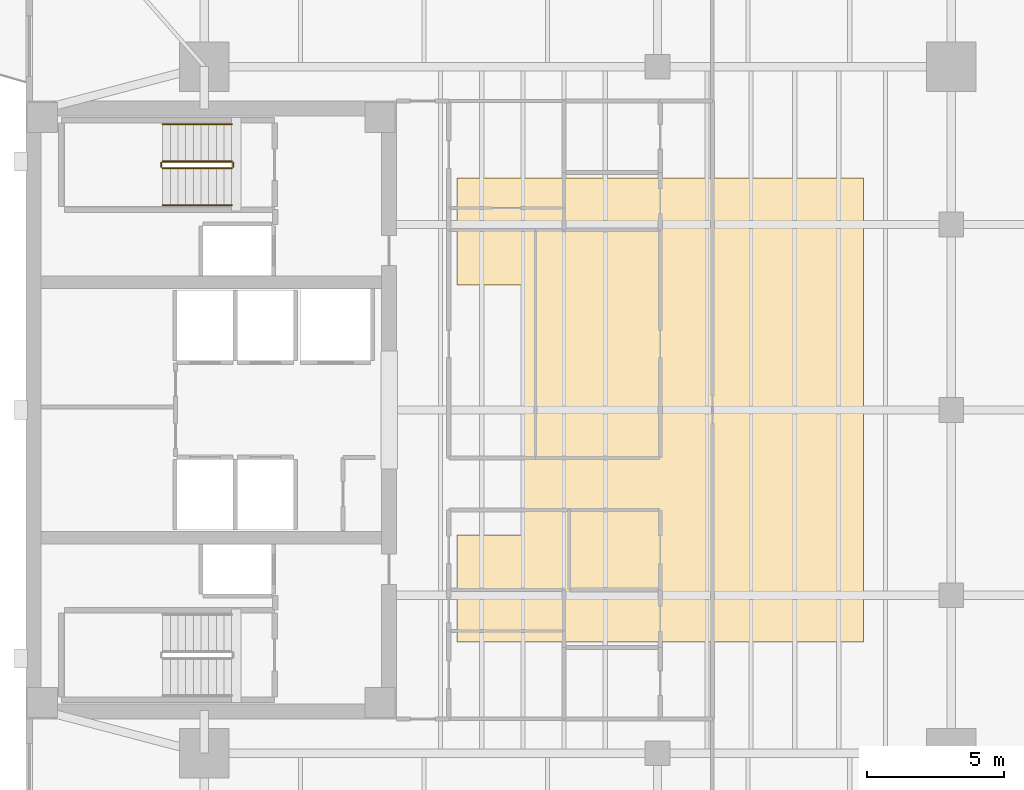
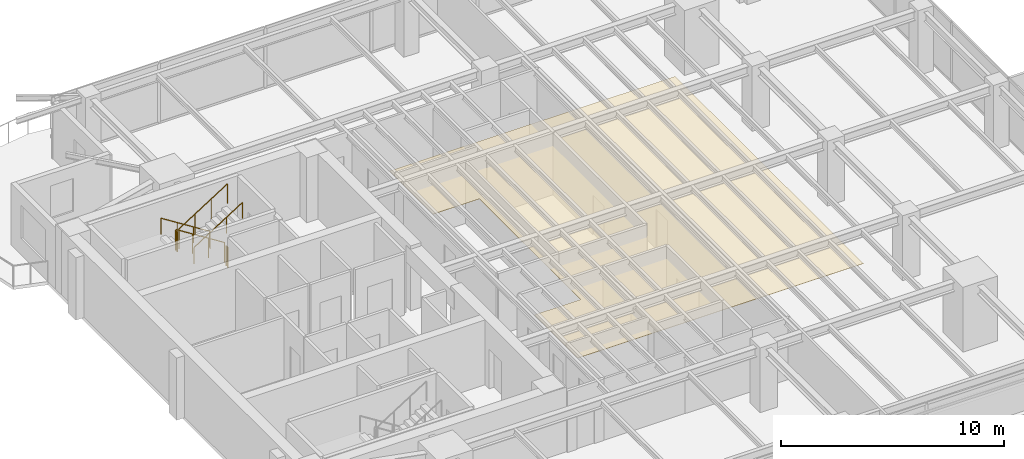
# One storey, part 13 of 14: 6 railings, 1 covering.
"""IFC4 building model written with IfcOpenShell, lengths in metres."""

from ifc_helpers import new_model, si_unit, direction, frame, origin, origin_2d, place, context, subcontext, project, spatial, polyline, circle, outline, extrude, material, layer, layer_set, type_object, element, save


model = new_model("IFC4")

# Units and contexts
model_context = context("Model", 3, precision=1e-05, world=origin(), true_north=direction((0.0, 1.0)))
body_context = subcontext(model_context, "Body", "Model", "MODEL_VIEW")
ifc_project = project(units=[si_unit("LENGTHUNIT", "METRE"), si_unit("AREAUNIT", "SQUARE_METRE"), si_unit("VOLUMEUNIT", "CUBIC_METRE"), si_unit("PLANEANGLEUNIT", "RADIAN"), si_unit("MASSUNIT", "GRAM", prefix="KILO")], contexts=[model_context])

# Site, building, storey
site_placement = place(None, origin())
site = spatial("IfcSite", under=ifc_project, at=site_placement, CompositionType="ELEMENT")
building_placement = place(site_placement, origin())
building = spatial("IfcBuilding", under=site, at=building_placement, Name="Kinhvarn Gate Tower", CompositionType="ELEMENT")
storey_placement = place(building_placement, frame((0.0, 0.0, 191.60009765625)))
storey = spatial("IfcBuildingStorey", under=building, at=storey_placement, Name="L50", CompositionType="ELEMENT", Elevation=191.60009765625)

# Covering
ifc_material_1 = material(Name="Mineral-fibre acoustic ceiling tile")
ifc_layer = layer(ifc_material_1, 0.02001953125)
ifc_layer_set = layer_set([ifc_layer], Name="Mineral-fibre acoustic ceiling tile")
covering_type = type_object("IfcCoveringType", Name="COV-CEIL-20", PredefinedType="CEILING", material=ifc_layer_set)
covering_placement = place(storey_placement, frame((0.0, 0.0, 2.64990234375)))
element("IfcCovering", 1, at=covering_placement, inside=storey, type_object=covering_type, Name="Suspended Acoustic Ceiling Tile (L50-1)", PredefinedType="CEILING", context=body_context, shape_type="SweptSolid", body=[
    extrude(outline(polyline([(35.0, 33.699951171875), (35.0, 16.800048828125), (20.199951171875, 16.800048828125), (20.199951171875, 20.699951171875), (22.60009765625, 20.699951171875), (22.60009765625, 29.800048828125), (20.199951171875, 29.800048828125), (20.199951171875, 33.699951171875), (35.0, 33.699951171875)])), origin(), (0.0, 0.0, 1.0), 0.02001953125),
])

# Railings
ifc_material_2 = material(Name="Steel S355", Category="steel")
railing_type_1 = type_object("IfcRailingType", Name="RL-ST-GRD", PredefinedType="BALUSTRADE", material=ifc_material_2)
railing_1_placement = place(storey_placement, frame((12.0, 34.300048828125, 0.177490234375)))
element("IfcRailing", 2, at=railing_1_placement, inside=storey, type_object=railing_type_1, Name="L50 ST2 stair guard 1", PredefinedType="BALUSTRADE", context=body_context, shape_type="SweptSolid", body=[
    extrude(circle(Radius=0.02392578125, at=origin_2d()), frame((0.0, 0.0, 1.076171875), z_axis=(-0.84460694969, 0.0, 0.535386869969), x_axis=(0.0, -1.0, 0.0)), (0.0, 0.0, 1.0), 2.983642578125),
    extrude(circle(Radius=0.02099609375, at=origin_2d()), origin(), (0.0, 0.0, 1.0), 1.052001953125),
    extrude(circle(Radius=0.02099609375, at=origin_2d()), frame((-0.840087890625, 0.0, 0.532470703125)), (0.0, 0.0, 1.0), 1.052001953125),
    extrude(circle(Radius=0.02099609375, at=origin_2d()), frame((-1.679931640625, 0.0, 1.06494140625)), (0.0, 0.0, 1.0), 1.052001953125),
    extrude(circle(Radius=0.02099609375, at=origin_2d()), frame((-2.52001953125, 0.0, 1.597412109375)), (0.0, 0.0, 1.0), 1.052001953125),
])
railing_2_placement = place(storey_placement, frame((9.429931640625, 34.25, 1.77490234375)))
element("IfcRailing", 3, at=railing_2_placement, inside=storey, type_object=railing_type_1, Name="L50 ST2 stair guard 2", PredefinedType="BALUSTRADE", context=body_context, shape_type="SweptSolid", body=[
    extrude(circle(Radius=0.02392578125, at=origin_2d()), frame((0.0, 0.0, 1.076171875), z_axis=(0.0, -1.0, 0.0), x_axis=(1.0, 0.0, 0.0)), (0.0, 0.0, 1.0), 0.14990234375),
    extrude(circle(Radius=0.02099609375, at=origin_2d()), origin(), (0.0, 0.0, 1.0), 1.052001953125),
    extrude(circle(Radius=0.02099609375, at=origin_2d()), frame((0.0, -0.14990234375, 0.0)), (0.0, 0.0, 1.0), 1.052001953125),
])
railing_3_placement = place(storey_placement, frame((9.47998046875, 34.050048828125, 1.952392578125)))
element("IfcRailing", 4, at=railing_3_placement, inside=storey, type_object=railing_type_1, Name="L50 ST2 stair guard 3", PredefinedType="BALUSTRADE", context=body_context, shape_type="SweptSolid", body=[
    extrude(circle(Radius=0.02392578125, at=origin_2d()), frame((0.0, 0.0, 1.076171875), z_axis=(0.84460694969, 0.0, 0.535386869969), x_axis=(0.0, 1.0, 0.0)), (0.0, 0.0, 1.0), 2.983642578125),
    extrude(circle(Radius=0.02099609375, at=origin_2d()), origin(), (0.0, 0.0, 1.0), 1.052001953125),
    extrude(circle(Radius=0.02099609375, at=origin_2d()), frame((0.840087890625, 0.0, 0.532470703125)), (0.0, 0.0, 1.0), 1.052001953125),
    extrude(circle(Radius=0.02099609375, at=origin_2d()), frame((1.679931640625, 0.0, 1.06494140625)), (0.0, 0.0, 1.0), 1.052001953125),
    extrude(circle(Radius=0.02099609375, at=origin_2d()), frame((2.52001953125, 0.0, 1.597412109375)), (0.0, 0.0, 1.0), 1.052001953125),
])
railing_4_placement = place(storey_placement, frame((12.050048828125, 34.25, 0.0)))
element("IfcRailing", 5, at=railing_4_placement, inside=storey, type_object=railing_type_1, Name="L50 ST2 stair guard 4", PredefinedType="BALUSTRADE", context=body_context, shape_type="SweptSolid", body=[
    extrude(circle(Radius=0.02392578125, at=origin_2d()), frame((0.0, 0.0, 1.076171875), z_axis=(0.0, -1.0, 0.0), x_axis=(1.0, 0.0, 0.0)), (0.0, 0.0, 1.0), 0.14990234375),
    extrude(circle(Radius=0.02099609375, at=origin_2d()), origin(), (0.0, 0.0, 1.0), 1.052001953125),
    extrude(circle(Radius=0.02099609375, at=origin_2d()), frame((0.0, -0.14990234375, 0.0)), (0.0, 0.0, 1.0), 1.052001953125),
])
railing_type_2 = type_object("IfcRailingType", Name="RL-ST-HND", PredefinedType="HANDRAIL", material=ifc_material_2)
railing_5_placement = place(storey_placement, frame((12.0, 35.64990234375, 0.177490234375)))
element("IfcRailing", 6, at=railing_5_placement, inside=storey, type_object=railing_type_2, Name="L50 ST2 stair handrail 1", PredefinedType="HANDRAIL", context=body_context, shape_type="SweptSolid", body=[
    extrude(circle(Radius=0.02392578125, at=origin_2d()), frame((0.0, 0.0, 0.8759765625), z_axis=(-0.84460694969, 0.0, 0.535386869969), x_axis=(0.0, -1.0, 0.0)), (0.0, 0.0, 1.0), 2.983642578125),
    extrude(circle(Radius=0.02099609375, at=origin_2d()), origin(), (0.0, 0.0, 1.0), 0.851806640625),
    extrude(circle(Radius=0.02099609375, at=origin_2d()), frame((-0.840087890625, 0.0, 0.532470703125)), (0.0, 0.0, 1.0), 0.851806640625),
    extrude(circle(Radius=0.02099609375, at=origin_2d()), frame((-1.679931640625, 0.0, 1.06494140625)), (0.0, 0.0, 1.0), 0.851806640625),
    extrude(circle(Radius=0.02099609375, at=origin_2d()), frame((-2.52001953125, 0.0, 1.597412109375)), (0.0, 0.0, 1.0), 0.851806640625),
])
railing_6_placement = place(storey_placement, frame((9.47998046875, 32.699951171875, 1.952392578125)))
element("IfcRailing", 7, at=railing_6_placement, inside=storey, type_object=railing_type_2, Name="L50 ST2 stair handrail 2", PredefinedType="HANDRAIL", context=body_context, shape_type="SweptSolid", body=[
    extrude(circle(Radius=0.02392578125, at=origin_2d()), frame((0.0, 0.0, 0.8759765625), z_axis=(0.84460694969, 0.0, 0.535386869969), x_axis=(0.0, 1.0, 0.0)), (0.0, 0.0, 1.0), 2.983642578125),
    extrude(circle(Radius=0.02099609375, at=origin_2d()), origin(), (0.0, 0.0, 1.0), 0.851806640625),
    extrude(circle(Radius=0.02099609375, at=origin_2d()), frame((0.840087890625, 0.0, 0.532470703125)), (0.0, 0.0, 1.0), 0.851806640625),
    extrude(circle(Radius=0.02099609375, at=origin_2d()), frame((1.679931640625, 0.0, 1.06494140625)), (0.0, 0.0, 1.0), 0.851806640625),
    extrude(circle(Radius=0.02099609375, at=origin_2d()), frame((2.52001953125, 0.0, 1.597412109375)), (0.0, 0.0, 1.0), 0.851806640625),
])

save(model, "model.ifc")
